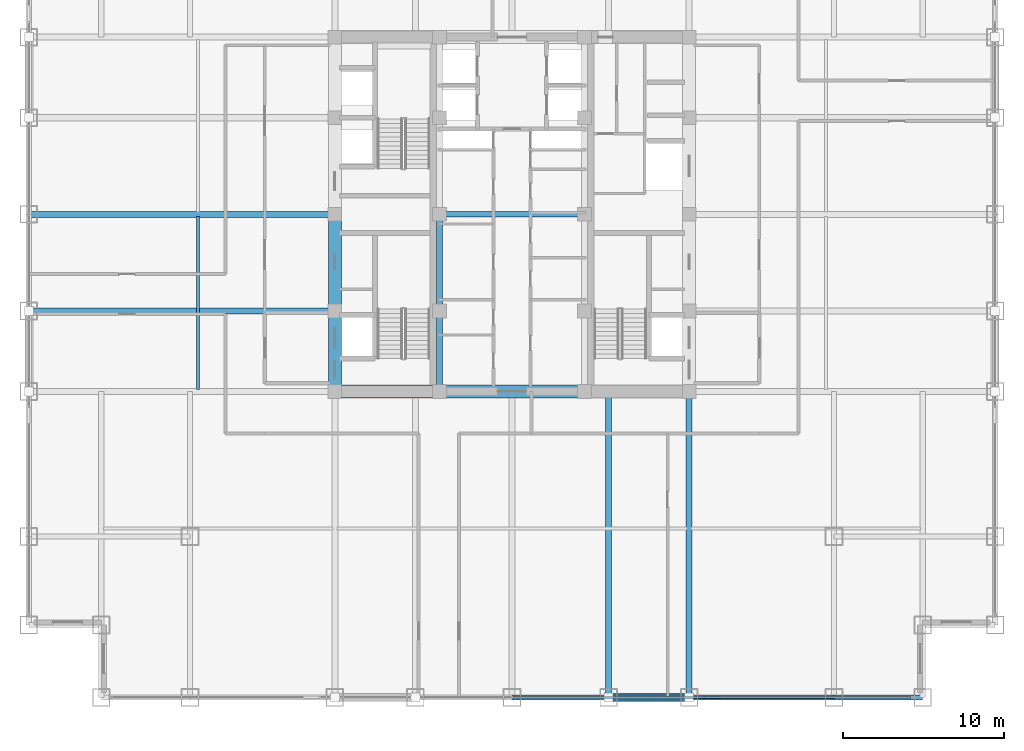
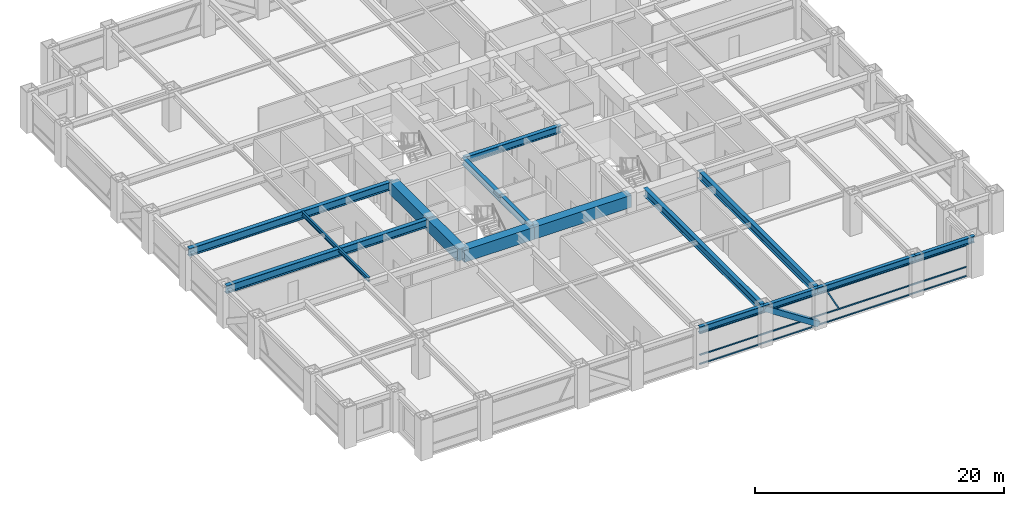
# One storey, part 7 of 24: 16 beams, 5 members, 1 element without a shape of its own.
"""IFC4 building model written with IfcOpenShell, lengths in metres."""

from ifc_helpers import new_model, si_unit, direction, frame, origin, origin_2d, place, context, subcontext, project, spatial, rectangle, hollow_rectangle, i_section, extrude, source, transform, mapped, material, material_profile, profile_set, type_object, element, aggregate, save


model = new_model("IFC4")

# Units and contexts
model_context = context("Model", 3, precision=1e-05, world=origin(), true_north=direction((0.0, 1.0)))
body_context = subcontext(model_context, "Body", "Model", "MODEL_VIEW")
ifc_project = project(units=[si_unit("LENGTHUNIT", "METRE"), si_unit("AREAUNIT", "SQUARE_METRE"), si_unit("VOLUMEUNIT", "CUBIC_METRE"), si_unit("PLANEANGLEUNIT", "RADIAN"), si_unit("MASSUNIT", "GRAM", prefix="KILO")], contexts=[model_context])

# Site, building, storey
site_placement = place(None, origin())
site = spatial("IfcSite", under=ifc_project, at=site_placement, CompositionType="ELEMENT")
building_placement = place(site_placement, origin())
building = spatial("IfcBuilding", under=site, at=building_placement, Name="Khorayat Bourse Tower", CompositionType="ELEMENT")
storey_placement = place(building_placement, frame((0.0, 0.0, 163.10009765625)))
storey = spatial("IfcBuildingStorey", under=building, at=storey_placement, Name="L37", CompositionType="ELEMENT", Elevation=163.10009765625)

# Beams
ifc_material_1 = material(Name="Concrete C72/90", Category="concrete")
ifc_material_profile_1 = material_profile(ifc_material_1, rectangle(XDim=0.800048828125, YDim=1.199951171875, at=origin_2d()), Name="RC 800x1200")
ifc_profile_set_1 = profile_set([ifc_material_profile_1], Name="Concrete C72/90")
beam_type_1 = type_object("IfcBeamType", Name="BM-COUP-1200", PredefinedType="BEAM", material=ifc_profile_set_1)
shared_shape_1 = source(origin(), body_context, "Body", "SweptSolid", [
    extrude(rectangle(XDim=0.800048828125, YDim=1.199951171875, at=origin_2d()), origin(), (0.0, 0.0, 1.0), 5.0),
])
beam_1_placement = place(storey_placement, frame((-11.0, -11.0, 3.179931640625), z_axis=(0.0, 1.0, 0.0), x_axis=(-1.0, 0.0, 0.0)))
element("IfcBeam", 1, at=beam_1_placement, inside=storey, type_object=beam_type_1, Name="L37 BM-COUP-1200 BM-L37-CRX-01", PredefinedType="BEAM", context=body_context, shape_type="MappedRepresentation", body=[
    mapped(shared_shape_1, transform((0.0, 0.0, 0.0), scale=1.0)),
])
shared_shape_2 = source(origin(), body_context, "Body", "SweptSolid", [
    extrude(rectangle(XDim=0.800048828125, YDim=1.199951171875, at=origin_2d()), origin(), (0.0, 0.0, 1.0), 6.0),
])
beam_2_placement = place(storey_placement, frame((-11.0, -6.0, 3.179931640625), z_axis=(0.0, 1.0, 0.0), x_axis=(-1.0, 0.0, 0.0)))
element("IfcBeam", 2, at=beam_2_placement, inside=storey, type_object=beam_type_1, Name="L37 BM-COUP-1200 BM-L37-CRX-02", PredefinedType="BEAM", context=body_context, shape_type="MappedRepresentation", body=[
    mapped(shared_shape_2, transform((0.0, 0.0, 0.0), scale=1.0)),
])
ifc_material_2 = material(Name="Steel ASTM A992 Grade 50", Category="steel")
ifc_material_profile_2 = material_profile(ifc_material_2, i_section(OverallWidth=0.35498046875, OverallDepth=0.695068359375, WebThickness=0.015380859375, FlangeThickness=0.02490234375, FilletRadius=0.01806640625, at=origin_2d()), Name="W690X217")
ifc_profile_set_2 = profile_set([ifc_material_profile_2], Name="Steel ASTM A992 Grade 50")
beam_type_2 = type_object("IfcBeamType", Name="BM-GIRD-690", PredefinedType="BEAM", material=ifc_profile_set_2)
shared_shape_3 = source(origin(), body_context, "Body", "SweptSolid", [
    extrude(i_section(OverallWidth=0.35498046875, OverallDepth=0.695068359375, WebThickness=0.015380859375, FlangeThickness=0.02490234375, FilletRadius=0.01806640625, at=origin_2d()), origin(), (0.0, 0.0, 1.0), 5.0),
])
beam_3_placement = place(storey_placement, frame((-4.5, -11.0, 3.432373046875), z_axis=(0.0, 1.0, 0.0), x_axis=(-1.0, 0.0, 0.0)))
element("IfcBeam", 3, at=beam_3_placement, inside=storey, type_object=beam_type_2, Name="L37 BM-GIRD-690 BM-L37-CRX-05", PredefinedType="BEAM", context=body_context, shape_type="MappedRepresentation", body=[
    mapped(shared_shape_3, transform((0.0, 0.0, 0.0), scale=1.0)),
])
shared_shape_4 = source(origin(), body_context, "Body", "SweptSolid", [
    extrude(i_section(OverallWidth=0.35498046875, OverallDepth=0.695068359375, WebThickness=0.015380859375, FlangeThickness=0.02490234375, FilletRadius=0.01806640625, at=origin_2d()), origin(), (0.0, 0.0, 1.0), 6.0),
])
beam_4_placement = place(storey_placement, frame((-4.5, -6.0, 3.432373046875), z_axis=(0.0, 1.0, 0.0), x_axis=(-1.0, 0.0, 0.0)))
element("IfcBeam", 4, at=beam_4_placement, inside=storey, type_object=beam_type_2, Name="L37 BM-GIRD-690 BM-L37-CRX-06", PredefinedType="BEAM", context=body_context, shape_type="MappedRepresentation", body=[
    mapped(shared_shape_4, transform((0.0, 0.0, 0.0), scale=1.0)),
])
shared_shape_5 = source(origin(), body_context, "Body", "SweptSolid", [
    extrude(rectangle(XDim=0.800048828125, YDim=1.199951171875, at=origin_2d()), origin(), (0.0, 0.0, 1.0), 6.5),
])
beam_5_placement = place(storey_placement, frame((-11.0, -11.0, 3.179931640625), z_axis=(1.0, 0.0, 0.0), x_axis=(0.0, 1.0, 0.0)))
element("IfcBeam", 5, at=beam_5_placement, inside=storey, type_object=beam_type_1, Name="L37 BM-COUP-1200 BM-L37-CRY-17", PredefinedType="BEAM", context=body_context, shape_type="MappedRepresentation", body=[
    mapped(shared_shape_5, transform((0.0, 0.0, 0.0), scale=1.0)),
])
shared_shape_6 = source(origin(), body_context, "Body", "SweptSolid", [
    extrude(rectangle(XDim=0.800048828125, YDim=1.199951171875, at=origin_2d()), origin(), (0.0, 0.0, 1.0), 9.0),
])
beam_6_placement = place(storey_placement, frame((-4.5, -11.0, 3.179931640625), z_axis=(1.0, 0.0, 0.0), x_axis=(0.0, 1.0, 0.0)))
element("IfcBeam", 6, at=beam_6_placement, inside=storey, type_object=beam_type_1, Name="L37 BM-COUP-1200 BM-L37-CRY-18", PredefinedType="BEAM", context=body_context, shape_type="MappedRepresentation", body=[
    mapped(shared_shape_6, transform((0.0, 0.0, 0.0), scale=1.0)),
])
shared_shape_7 = source(origin(), body_context, "Body", "SweptSolid", [
    extrude(i_section(OverallWidth=0.35498046875, OverallDepth=0.695068359375, WebThickness=0.015380859375, FlangeThickness=0.02490234375, FilletRadius=0.01806640625, at=origin_2d()), origin(), (0.0, 0.0, 1.0), 9.0),
])
beam_7_placement = place(storey_placement, frame((-4.5, 0.0, 3.432373046875), z_axis=(1.0, 0.0, 0.0), x_axis=(0.0, 1.0, 0.0)))
element("IfcBeam", 7, at=beam_7_placement, inside=storey, type_object=beam_type_2, Name="L37 BM-GIRD-690 BM-L37-CRY-23", PredefinedType="BEAM", context=body_context, shape_type="MappedRepresentation", body=[
    mapped(shared_shape_7, transform((0.0, 0.0, 0.0), scale=1.0)),
])
ifc_material_profile_3 = material_profile(ifc_material_2, i_section(OverallWidth=0.381103515625, OverallDepth=0.77294921875, WebThickness=0.0166015625, FlangeThickness=0.027587890625, FilletRadius=0.01806640625, at=origin_2d()), Name="W760X257")
ifc_profile_set_3 = profile_set([ifc_material_profile_3], Name="Steel ASTM A992 Grade 50")
beam_type_3 = type_object("IfcBeamType", Name="BM-GIRD-760", PredefinedType="BEAM", material=ifc_profile_set_3)
shared_shape_8 = source(origin(), body_context, "Body", "SweptSolid", [
    extrude(i_section(OverallWidth=0.381103515625, OverallDepth=0.77294921875, WebThickness=0.0166015625, FlangeThickness=0.027587890625, FilletRadius=0.01806640625, at=origin_2d()), origin(), (0.0, 0.0, 1.0), 19.0),
])
for number, where, z_axis, x_axis, name in (
    (8, (6.0, -30.0, 3.393310546875), (0.0, 1.0, 0.0), (-1.0, 0.0, 0.0), "L37 BM-GIRD-760 BM-L37-RADY-071"),
    (9, (11.0, -30.0, 3.393310546875), (0.0, 1.0, 0.0), (-1.0, 0.0, 0.0), "L37 BM-GIRD-760 BM-L37-RADY-073"),
    (10, (-30.0, -6.0, 3.393310546875), (1.0, 0.0, 0.0), (0.0, 1.0, 0.0), "L37 BM-GIRD-760 BM-L37-RADX-077"),
    (11, (-30.0, 0.0, 3.393310546875), (1.0, 0.0, 0.0), (0.0, 1.0, 0.0), "L37 BM-GIRD-760 BM-L37-RADX-079"),
):
    element("IfcBeam", number, at=place(storey_placement, frame(where, z_axis=z_axis, x_axis=x_axis)), inside=storey, type_object=beam_type_3, Name=name, PredefinedType="BEAM", context=body_context, shape_type="MappedRepresentation", body=[
        mapped(shared_shape_8, transform((0.0, 0.0, 0.0), scale=1.0)),
    ])
ifc_material_profile_4 = material_profile(ifc_material_2, i_section(OverallWidth=0.180908203125, OverallDepth=0.4169921875, WebThickness=0.010986328125, FlangeThickness=0.018310546875, FilletRadius=0.011962890625, at=origin_2d()), Name="W410X85")
ifc_profile_set_4 = profile_set([ifc_material_profile_4], Name="Steel ASTM A992 Grade 50")
beam_type_4 = type_object("IfcBeamType", Name="BM-JOIST-410", PredefinedType="JOIST", material=ifc_profile_set_4)
shared_shape_9 = source(origin(), body_context, "Body", "SweptSolid", [
    extrude(i_section(OverallWidth=0.180908203125, OverallDepth=0.4169921875, WebThickness=0.010986328125, FlangeThickness=0.018310546875, FilletRadius=0.011962890625, at=origin_2d()), origin(), (0.0, 0.0, 1.0), 10.740234375),
])
beam_8_placement = place(storey_placement, frame((-19.5, -10.8701171875, 3.5712890625), z_axis=(0.0, 1.0, 0.0), x_axis=(-1.0, 0.0, 0.0)))
element("IfcBeam", 12, at=beam_8_placement, inside=storey, type_object=beam_type_4, Name="L37 BM-JOIST-410 BM-L37-JSTY-102", PredefinedType="JOIST", context=body_context, shape_type="MappedRepresentation", body=[
    mapped(shared_shape_9, transform((0.0, 0.0, 0.0), scale=1.0)),
])
ifc_material_profile_5 = material_profile(ifc_material_2, i_section(OverallWidth=0.324951171875, OverallDepth=0.615966796875, WebThickness=0.013916015625, FlangeThickness=0.021484375, FilletRadius=0.01611328125, at=origin_2d()), Name="W610X174")
ifc_profile_set_5 = profile_set([ifc_material_profile_5], Name="Steel ASTM A992 Grade 50")
beam_type_5 = type_object("IfcBeamType", Name="BM-SPAN-610", PredefinedType="SPANDREL", material=ifc_profile_set_5)
shared_shape_10 = source(origin(), body_context, "Body", "SweptSolid", [
    extrude(i_section(OverallWidth=0.324951171875, OverallDepth=0.615966796875, WebThickness=0.013916015625, FlangeThickness=0.021484375, FilletRadius=0.01611328125, at=origin_2d()), origin(), (0.0, 0.0, 1.0), 5.5),
])
beam_9_placement = place(storey_placement, frame((20.0, -30.0, 3.471923828125), z_axis=(1.0, 0.0, 0.0), x_axis=(0.0, 1.0, 0.0)))
element("IfcBeam", 13, at=beam_9_placement, inside=storey, type_object=beam_type_5, Name="L37 BM-SPAN-610 BM-L37-SPN-031", PredefinedType="SPANDREL", context=body_context, shape_type="MappedRepresentation", body=[
    mapped(shared_shape_10, transform((0.0, 0.0, 0.0), scale=1.0)),
])
shared_shape_11 = source(origin(), body_context, "Body", "SweptSolid", [
    extrude(i_section(OverallWidth=0.324951171875, OverallDepth=0.615966796875, WebThickness=0.013916015625, FlangeThickness=0.021484375, FilletRadius=0.01611328125, at=origin_2d()), origin(), (0.0, 0.0, 1.0), 9.0),
])
beam_10_placement = place(storey_placement, frame((11.0, -30.0, 3.471923828125), z_axis=(1.0, 0.0, 0.0), x_axis=(0.0, 1.0, 0.0)))
element("IfcBeam", 14, at=beam_10_placement, inside=storey, type_object=beam_type_5, Name="L37 BM-SPAN-610 BM-L37-SPN-030", PredefinedType="SPANDREL", context=body_context, shape_type="MappedRepresentation", body=[
    mapped(shared_shape_11, transform((0.0, 0.0, 0.0), scale=1.0)),
])
shared_shape_12 = source(origin(), body_context, "Body", "SweptSolid", [
    extrude(i_section(OverallWidth=0.324951171875, OverallDepth=0.615966796875, WebThickness=0.013916015625, FlangeThickness=0.021484375, FilletRadius=0.01611328125, at=origin_2d()), origin(), (0.0, 0.0, 1.0), 5.0),
])
beam_11_placement = place(storey_placement, frame((6.0, -30.0, 3.471923828125), z_axis=(1.0, 0.0, 0.0), x_axis=(0.0, 1.0, 0.0)))
element("IfcBeam", 15, at=beam_11_placement, inside=storey, type_object=beam_type_5, Name="L37 BM-SPAN-610 BM-L37-SPN-029", PredefinedType="SPANDREL", context=body_context, shape_type="MappedRepresentation", body=[
    mapped(shared_shape_12, transform((0.0, 0.0, 0.0), scale=1.0)),
])
shared_shape_13 = source(origin(), body_context, "Body", "SweptSolid", [
    extrude(i_section(OverallWidth=0.324951171875, OverallDepth=0.615966796875, WebThickness=0.013916015625, FlangeThickness=0.021484375, FilletRadius=0.01611328125, at=origin_2d()), origin(), (0.0, 0.0, 1.0), 6.0),
])
beam_12_placement = place(storey_placement, frame((0.0, -30.0, 3.471923828125), z_axis=(1.0, 0.0, 0.0), x_axis=(0.0, 1.0, 0.0)))
element("IfcBeam", 16, at=beam_12_placement, inside=storey, type_object=beam_type_5, Name="L37 BM-SPAN-610 BM-L37-SPN-028", PredefinedType="SPANDREL", context=body_context, shape_type="MappedRepresentation", body=[
    mapped(shared_shape_13, transform((0.0, 0.0, 0.0), scale=1.0)),
])

# Member
ifc_material_3 = material(Name="Steel EN 10025-4 S460M", Category="steel")
ifc_material_profile_6 = material_profile(ifc_material_3, hollow_rectangle(XDim=0.5, YDim=0.5, WallThickness=0.028076171875, at=origin_2d()), Name="HSS 500x500x28")
ifc_profile_set_6 = profile_set([ifc_material_profile_6], Name="Steel EN 10025-4 S460M")
member_type_1 = type_object("IfcMemberType", Name="MBR-TUBE-500", PredefinedType="BRACE", material=ifc_profile_set_6)
shared_shape_14 = source(origin(), body_context, "Body", "SweptSolid", [
    extrude(hollow_rectangle(XDim=0.5, YDim=0.5, WallThickness=0.028076171875, at=origin_2d()), origin(), (0.0, 0.0, 1.0), 5.979736328125),
])
member_1_placement = place(storey_placement, frame((6.0, -30.0, 3.52978515625), z_axis=(0.836160261256, 0.0, -0.548485202623), x_axis=(0.0, 1.0, 0.0)))
element("IfcMember", 17, at=member_1_placement, inside=storey, type_object=member_type_1, Name="L37 Perimeter Tube Brace 02", PredefinedType="BRACE", context=body_context, shape_type="MappedRepresentation", body=[
    mapped(shared_shape_14, transform((0.0, 0.0, 0.0), scale=1.0)),
])

# Curtain wall, members
ifc_material_4 = material(Name="Aluminium EN AW-6063 T6", Category="aluminium")
curtain_wall_type = type_object("IfcCurtainWallType", Name="CW-SYS-03", PredefinedType="NOTDEFINED", material=ifc_material_4)
curtain_wall_placement = place(storey_placement, origin())
curtain_wall = element("IfcCurtainWall", 18, at=curtain_wall_placement, inside=storey, type_object=curtain_wall_type, Name="L37 Curtain Wall CW-L37-S1", PredefinedType="NOTDEFINED")
ifc_material_profile_7 = material_profile(ifc_material_4, hollow_rectangle(XDim=0.1201171875, YDim=0.1201171875, WallThickness=0.0048828125, at=origin_2d()), Name="ALU 120x120x5")
ifc_profile_set_7 = profile_set([ifc_material_profile_7], Name="Aluminium EN AW-6063 T6")
member_type_2 = type_object("IfcMemberType", Name="CWM-DIAG-120", PredefinedType="MULLION", material=ifc_profile_set_7)
shared_shape_15 = source(origin(), body_context, "Body", "SweptSolid", [
    extrude(hollow_rectangle(XDim=0.1201171875, YDim=0.1201171875, WallThickness=0.0048828125, at=origin_2d()), origin(), (0.0, 0.0, 1.0), 2.079345703125),
])
member_2_placement = place(storey_placement, frame((12.904296875, -30.0, 1.08984375), z_axis=(-0.465760949701, 0.0, 0.884910581773), x_axis=(0.0, -1.0, 0.0)))
member_2 = element("IfcMember", 19, at=member_2_placement, type_object=member_type_2, Name="CW-L37-S1 Faceted Diagonal Mullion 2", PredefinedType="MULLION", context=body_context, shape_type="MappedRepresentation", body=[
    mapped(shared_shape_15, transform((0.0, 0.0, 0.0), scale=1.0)),
])
ifc_material_profile_8 = material_profile(ifc_material_4, hollow_rectangle(XDim=0.1201171875, YDim=0.1201171875, WallThickness=0.0048828125, at=origin_2d()), Name="ALU 120x120x5")
ifc_profile_set_8 = profile_set([ifc_material_profile_8], Name="Aluminium EN AW-6063 T6")
member_type_3 = type_object("IfcMemberType", Name="CWT-HORZ-120", PredefinedType="USERDEFINED", material=ifc_profile_set_8)
shared_shape_16 = source(origin(), body_context, "Body", "SweptSolid", [
    extrude(hollow_rectangle(XDim=0.1201171875, YDim=0.1201171875, WallThickness=0.0048828125, at=origin_2d()), origin(), (0.0, 0.0, 1.0), 24.719970703125),
])
member_3_placement = place(storey_placement, frame((0.06005859375, -30.0, 0.059814453125), z_axis=(1.0, 0.0, 0.0), x_axis=(0.0, 1.0, 0.0)))
member_3 = element("IfcMember", 20, at=member_3_placement, type_object=member_type_3, Name="CW-L37-S1 Horizontal Transom 2-1", ObjectType="TRANSOM", PredefinedType="USERDEFINED", context=body_context, shape_type="MappedRepresentation", body=[
    mapped(shared_shape_16, transform((0.0, 0.0, 0.0), scale=1.0)),
])
member_4_placement = place(storey_placement, frame((0.06005859375, -30.0, 0.949951171875), z_axis=(1.0, 0.0, 0.0), x_axis=(0.0, 1.0, 0.0)))
member_4 = element("IfcMember", 21, at=member_4_placement, type_object=member_type_3, Name="CW-L37-S1 Horizontal Transom 2-2", ObjectType="TRANSOM", PredefinedType="USERDEFINED", context=body_context, shape_type="MappedRepresentation", body=[
    mapped(shared_shape_16, transform((0.0, 0.0, 0.0), scale=1.0)),
])
member_5_placement = place(storey_placement, frame((0.06005859375, -30.0, 3.06982421875), z_axis=(1.0, 0.0, 0.0), x_axis=(0.0, 1.0, 0.0)))
member_5 = element("IfcMember", 22, at=member_5_placement, type_object=member_type_3, Name="CW-L37-S1 Horizontal Transom 2-3", ObjectType="TRANSOM", PredefinedType="USERDEFINED", context=body_context, shape_type="MappedRepresentation", body=[
    mapped(shared_shape_16, transform((0.0, 0.0, 0.0), scale=1.0)),
])
aggregate(curtain_wall, [member_3, member_4, member_5, member_2])

save(model, "model.ifc")
